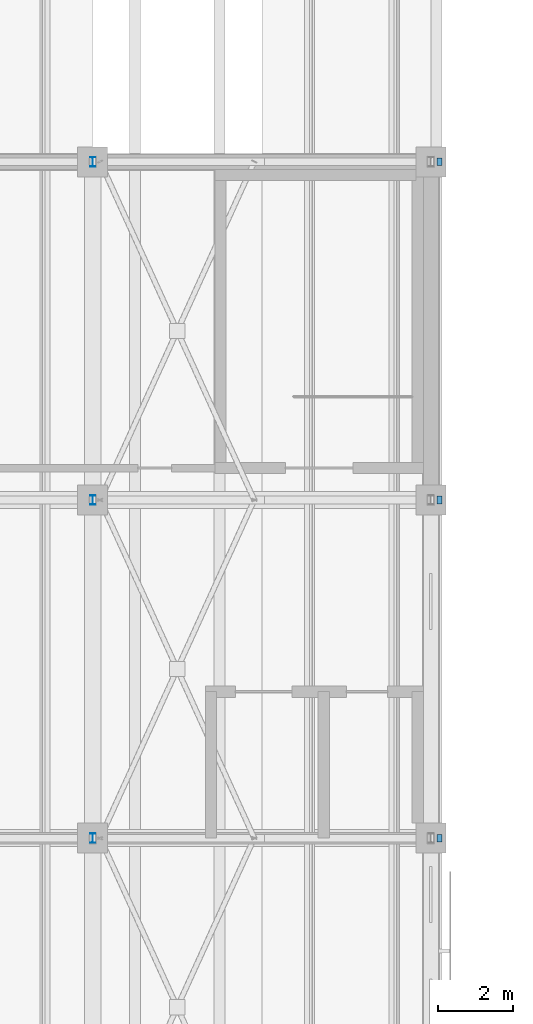
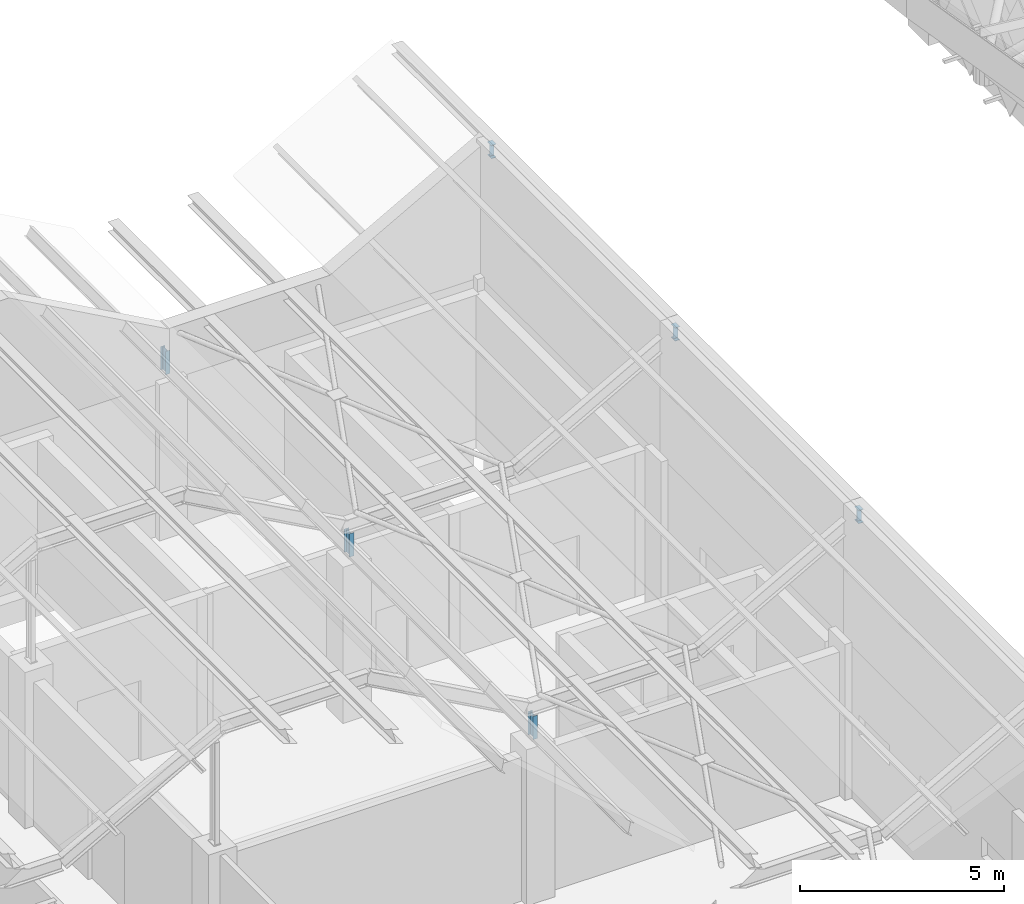
# One storey, part 235 of 437: 6 members.
"""IFC4 building model written with IfcOpenShell, lengths in metres."""

from ifc_helpers import new_model, si_unit, direction, frame, origin, origin_2d, place, context, subcontext, project, spatial, i_section, extrude, material, material_profile, profile_set, type_object, element, save


model = new_model("IFC4")

# Units and contexts
model_context = context("Model", 3, precision=1e-05, world=origin(), true_north=direction((0.0, 1.0)))
body_context = subcontext(model_context, "Body", "Model", "MODEL_VIEW")
ifc_project = project(units=[si_unit("LENGTHUNIT", "METRE"), si_unit("AREAUNIT", "SQUARE_METRE"), si_unit("VOLUMEUNIT", "CUBIC_METRE"), si_unit("PLANEANGLEUNIT", "RADIAN"), si_unit("MASSUNIT", "GRAM", prefix="KILO")], contexts=[model_context])

# Site, building, storey
site_placement = place(None, origin())
site = spatial("IfcSite", under=ifc_project, at=site_placement, CompositionType="ELEMENT")
building_placement = place(site_placement, origin())
building = spatial("IfcBuilding", under=site, at=building_placement, Name="Opaline Strait Convention Centre", CompositionType="ELEMENT")
storey_placement = place(building_placement, frame((0.0, 0.0, 11.5)))
storey = spatial("IfcBuildingStorey", under=building, at=storey_placement, Name="L02", CompositionType="ELEMENT", Elevation=11.5)

# Members
ifc_material = material(Name="Steel Q355B", Category="steel")
ifc_material_profile_1 = material_profile(ifc_material, i_section(OverallWidth=0.125, OverallDepth=0.25, WebThickness=0.006103515625, FlangeThickness=0.009033203125, FilletRadius=0.008056640625, at=origin_2d()), Name="HN 250x125x6x9")
ifc_profile_set_1 = profile_set([ifc_material_profile_1], Name="Steel Q355B")
member_type_1 = type_object("IfcMemberType", Name="Roof post HN 250x125x6x9", PredefinedType="STRUT", material=ifc_profile_set_1)
for number, where, z_axis, x_axis, name in (
    (1, (72.0, 81.0, 4.68994140625), (0.0, 0.0, 1.0), (1.0, 0.0, 0.0), "RP1 roof post at 72/81"),
    (2, (72.0, 90.0, 4.68994140625), (0.0, 0.0, 1.0), (1.0, 0.0, 0.0), "RP1 roof post at 72/90"),
    (3, (72.0, 99.0, 4.68994140625), (0.0, 0.0, 1.0), (1.0, 0.0, 0.0), "RP1 roof post at 72/99"),
):
    element("IfcMember", number, at=place(storey_placement, frame(where, z_axis=z_axis, x_axis=x_axis)), inside=storey, type_object=member_type_1, Name=name, PredefinedType="STRUT", context=body_context, shape_type="SweptSolid", body=[
        extrude(i_section(OverallWidth=0.125, OverallDepth=0.25, WebThickness=0.006103515625, FlangeThickness=0.009033203125, FilletRadius=0.008056640625, at=origin_2d()), origin(), (0.0, 0.0, 1.0), 0.695068359375),
    ])
ifc_material_profile_2 = material_profile(ifc_material, i_section(OverallWidth=0.199951171875, OverallDepth=0.39990234375, WebThickness=0.008056640625, FlangeThickness=0.012939453125, FilletRadius=0.012939453125, at=origin_2d()), Name="HN 400x200x8x13")
ifc_profile_set_2 = profile_set([ifc_material_profile_2], Name="Steel Q355B")
member_type_2 = type_object("IfcMemberType", Name="Roof rafter HN 400x200x8x13", PredefinedType="RAFTER", material=ifc_profile_set_2)
for number, where, z_axis, x_axis, name in (
    (4, (81.16845703125, 81.0, 8.10009765625), (1.0, 0.0, 0.0), (0.0, 1.0, 0.0), "RR1 rafter line 9 facet 18"),
    (5, (81.16845703125, 90.0, 8.10009765625), (1.0, 0.0, 0.0), (0.0, 1.0, 0.0), "RR1 rafter line 10 facet 18"),
    (6, (81.16845703125, 99.0, 8.10009765625), (1.0, 0.0, 0.0), (0.0, 1.0, 0.0), "RR1 rafter line 11 facet 18"),
):
    element("IfcMember", number, at=place(storey_placement, frame(where, z_axis=z_axis, x_axis=x_axis)), inside=storey, type_object=member_type_2, Name=name, PredefinedType="RAFTER", context=body_context, shape_type="SweptSolid", body=[
        extrude(i_section(OverallWidth=0.199951171875, OverallDepth=0.39990234375, WebThickness=0.008056640625, FlangeThickness=0.012939453125, FilletRadius=0.012939453125, at=origin_2d()), origin(), (0.0, 0.0, 1.0), 0.131591796875),
    ])

save(model, "model.ifc")
